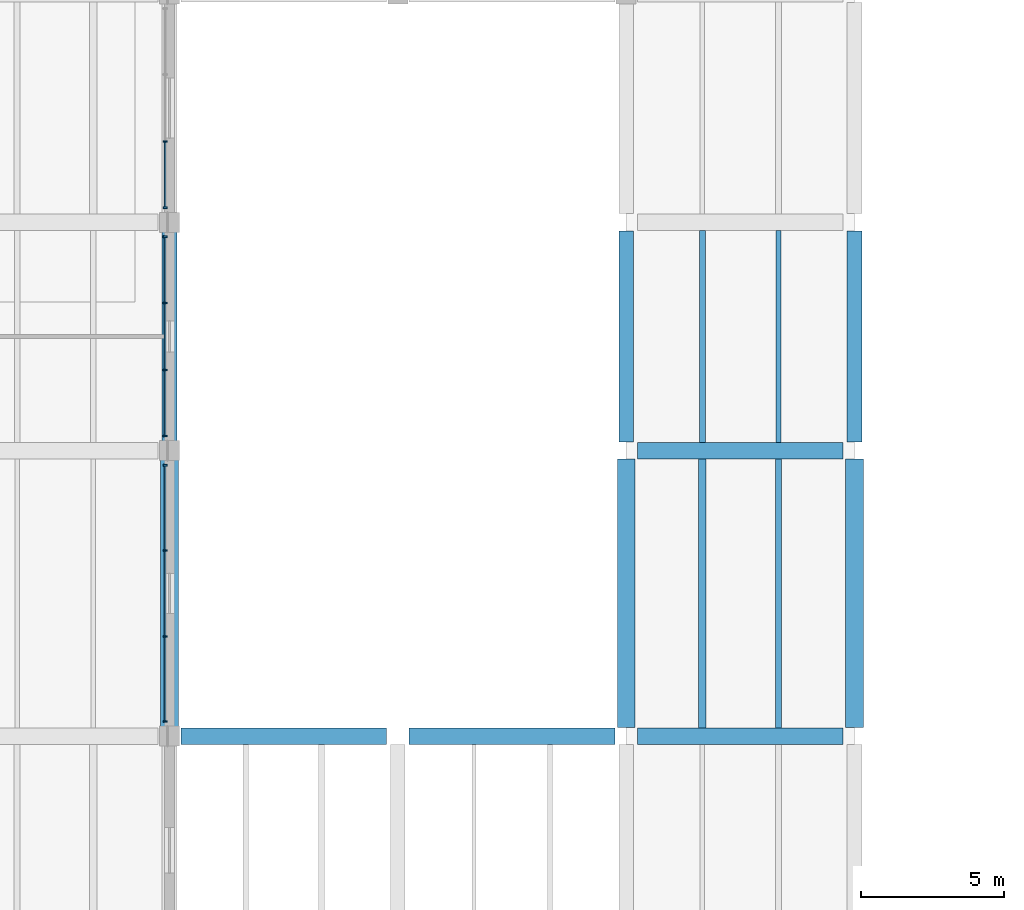
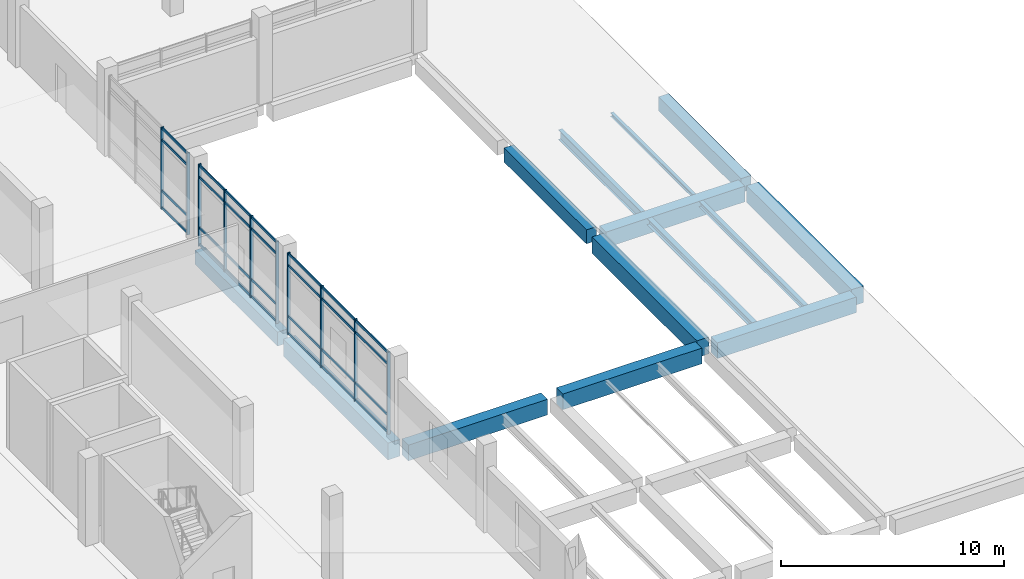
# One storey, part 20 of 52: 38 members, 14 beams, 3 elements without a shape of their own.
"""IFC4 building model written with IfcOpenShell, lengths in metres."""

from ifc_helpers import new_model, si_unit, direction, frame, origin, origin_2d, place, context, subcontext, project, spatial, rectangle, i_section, extrude, material, material_profile, profile_set, type_object, element, aggregate, save


model = new_model("IFC4")

# Units and contexts
model_context = context("Model", 3, precision=1e-05, world=origin(), true_north=direction((0.0, 1.0)))
body_context = subcontext(model_context, "Body", "Model", "MODEL_VIEW")
ifc_project = project(units=[si_unit("LENGTHUNIT", "METRE"), si_unit("AREAUNIT", "SQUARE_METRE"), si_unit("VOLUMEUNIT", "CUBIC_METRE"), si_unit("PLANEANGLEUNIT", "RADIAN"), si_unit("MASSUNIT", "GRAM", prefix="KILO")], contexts=[model_context])

# Site, building, storey
site_placement = place(None, origin())
site = spatial("IfcSite", under=ifc_project, at=site_placement, CompositionType="ELEMENT")
building_placement = place(site_placement, origin())
building = spatial("IfcBuilding", under=site, at=building_placement, Name="Pecanmere Concourse Central Library", CompositionType="ELEMENT")
storey_placement = place(building_placement, frame((0.0, 0.0, 10.5)))
storey = spatial("IfcBuildingStorey", under=building, at=storey_placement, Name="L03", CompositionType="ELEMENT", Elevation=10.5)

# Curtain wall, members
ifc_material_1 = material(Name="Clear anodized aluminium alloy 6063-T6", Category="aluminium")
curtain_wall_type = type_object("IfcCurtainWallType", Name="CW_CLOISTER_GLAZ", PredefinedType="USERDEFINED", material=ifc_material_1)
curtain_wall_1_placement = place(storey_placement, origin())
curtain_wall_1 = element("IfcCurtainWall", 1, at=curtain_wall_1_placement, inside=storey, type_object=curtain_wall_type, Name="Unitised Curtain Wall CW-04 L03-129", ObjectType="UNITISED CURTAIN WALL", PredefinedType="USERDEFINED")
ifc_material_2 = material(Name="Clear anodized aluminium alloy 6063-T6", Category="aluminium")
ifc_material_profile_1 = material_profile(ifc_material_2, rectangle(XDim=0.06005859375, YDim=0.14990234375, at=origin_2d()), Name="AL 60x150")
ifc_profile_set_1 = profile_set([ifc_material_profile_1], Name="Clear anodized aluminium alloy 6063-T6")
member_type_1 = type_object("IfcMemberType", Name="CWM_150x60", PredefinedType="MULLION", material=ifc_profile_set_1)
member_1_placement = place(storey_placement, frame((127.85009765625, 64.510009765625, 0.0), z_axis=(0.0, 0.0, 1.0), x_axis=(0.0, 1.0, 0.0)))
member_1 = element("IfcMember", 2, at=member_1_placement, type_object=member_type_1, Name="CW-04 Mullion 1", PredefinedType="MULLION", context=body_context, shape_type="SweptSolid", body=[
    extrude(rectangle(XDim=0.06005859375, YDim=0.14990234375, at=origin_2d()), origin(), (0.0, 0.0, 1.0), 4.47998046875),
])
member_2_placement = place(storey_placement, frame((127.85009765625, 67.493408203125, 0.0), z_axis=(0.0, 0.0, 1.0), x_axis=(0.0, 1.0, 0.0)))
member_2 = element("IfcMember", 3, at=member_2_placement, type_object=member_type_1, Name="CW-04 Mullion 2", PredefinedType="MULLION", context=body_context, shape_type="SweptSolid", body=[
    extrude(rectangle(XDim=0.06005859375, YDim=0.14990234375, at=origin_2d()), origin(), (0.0, 0.0, 1.0), 4.47998046875),
])
member_3_placement = place(storey_placement, frame((127.85009765625, 70.506591796875, 0.0), z_axis=(0.0, 0.0, 1.0), x_axis=(0.0, 1.0, 0.0)))
member_3 = element("IfcMember", 4, at=member_3_placement, type_object=member_type_1, Name="CW-04 Mullion 3", PredefinedType="MULLION", context=body_context, shape_type="SweptSolid", body=[
    extrude(rectangle(XDim=0.06005859375, YDim=0.14990234375, at=origin_2d()), origin(), (0.0, 0.0, 1.0), 4.47998046875),
])
member_4_placement = place(storey_placement, frame((127.85009765625, 73.489990234375, 0.0), z_axis=(0.0, 0.0, 1.0), x_axis=(0.0, 1.0, 0.0)))
member_4 = element("IfcMember", 5, at=member_4_placement, type_object=member_type_1, Name="CW-04 Mullion 4", PredefinedType="MULLION", context=body_context, shape_type="SweptSolid", body=[
    extrude(rectangle(XDim=0.06005859375, YDim=0.14990234375, at=origin_2d()), origin(), (0.0, 0.0, 1.0), 4.47998046875),
])

curtain_wall_2_placement = place(storey_placement, origin())
curtain_wall_2 = element("IfcCurtainWall", 6, at=curtain_wall_2_placement, inside=storey, type_object=curtain_wall_type, Name="Unitised Curtain Wall CW-04 L03-131", ObjectType="UNITISED CURTAIN WALL", PredefinedType="USERDEFINED")
member_5_placement = place(storey_placement, frame((127.85009765625, 74.510009765625, 0.0), z_axis=(0.0, 0.0, 1.0), x_axis=(0.0, 1.0, 0.0)))
member_5 = element("IfcMember", 7, at=member_5_placement, type_object=member_type_1, Name="CW-04 Mullion 1", PredefinedType="MULLION", context=body_context, shape_type="SweptSolid", body=[
    extrude(rectangle(XDim=0.06005859375, YDim=0.14990234375, at=origin_2d()), origin(), (0.0, 0.0, 1.0), 4.47998046875),
])
member_6_placement = place(storey_placement, frame((127.85009765625, 76.82666015625, 0.0), z_axis=(0.0, 0.0, 1.0), x_axis=(0.0, 1.0, 0.0)))
member_6 = element("IfcMember", 8, at=member_6_placement, type_object=member_type_1, Name="CW-04 Mullion 2", PredefinedType="MULLION", context=body_context, shape_type="SweptSolid", body=[
    extrude(rectangle(XDim=0.06005859375, YDim=0.14990234375, at=origin_2d()), origin(), (0.0, 0.0, 1.0), 4.47998046875),
])
member_7_placement = place(storey_placement, frame((127.85009765625, 79.17333984375, 0.0), z_axis=(0.0, 0.0, 1.0), x_axis=(0.0, 1.0, 0.0)))
member_7 = element("IfcMember", 9, at=member_7_placement, type_object=member_type_1, Name="CW-04 Mullion 3", PredefinedType="MULLION", context=body_context, shape_type="SweptSolid", body=[
    extrude(rectangle(XDim=0.06005859375, YDim=0.14990234375, at=origin_2d()), origin(), (0.0, 0.0, 1.0), 4.47998046875),
])
member_8_placement = place(storey_placement, frame((127.85009765625, 81.489990234375, 0.0), z_axis=(0.0, 0.0, 1.0), x_axis=(0.0, 1.0, 0.0)))
member_8 = element("IfcMember", 10, at=member_8_placement, type_object=member_type_1, Name="CW-04 Mullion 4", PredefinedType="MULLION", context=body_context, shape_type="SweptSolid", body=[
    extrude(rectangle(XDim=0.06005859375, YDim=0.14990234375, at=origin_2d()), origin(), (0.0, 0.0, 1.0), 4.47998046875),
])

curtain_wall_3_placement = place(storey_placement, origin())
curtain_wall_3 = element("IfcCurtainWall", 11, at=curtain_wall_3_placement, inside=storey, type_object=curtain_wall_type, Name="Unitised Curtain Wall CW-04 L03-133", ObjectType="UNITISED CURTAIN WALL", PredefinedType="USERDEFINED")
member_9_placement = place(storey_placement, frame((127.85009765625, 82.510009765625, 0.0), z_axis=(0.0, 0.0, 1.0), x_axis=(0.0, 1.0, 0.0)))
member_9 = element("IfcMember", 12, at=member_9_placement, type_object=member_type_1, Name="CW-04 Mullion 1", PredefinedType="MULLION", context=body_context, shape_type="SweptSolid", body=[
    extrude(rectangle(XDim=0.06005859375, YDim=0.14990234375, at=origin_2d()), origin(), (0.0, 0.0, 1.0), 4.47998046875),
])
member_10_placement = place(storey_placement, frame((127.85009765625, 84.82666015625, 0.0), z_axis=(0.0, 0.0, 1.0), x_axis=(0.0, 1.0, 0.0)))
member_10 = element("IfcMember", 13, at=member_10_placement, type_object=member_type_1, Name="CW-04 Mullion 2", PredefinedType="MULLION", context=body_context, shape_type="SweptSolid", body=[
    extrude(rectangle(XDim=0.06005859375, YDim=0.14990234375, at=origin_2d()), origin(), (0.0, 0.0, 1.0), 4.47998046875),
])

# Member
ifc_material_3 = material(Name="Clear anodized aluminium alloy 6063-T6", Category="aluminium")
ifc_material_profile_2 = material_profile(ifc_material_3, rectangle(XDim=0.054931640625, YDim=0.139892578125, at=origin_2d()), Name="AL 55x140")
ifc_profile_set_2 = profile_set([ifc_material_profile_2], Name="Clear anodized aluminium alloy 6063-T6")
member_type_2 = type_object("IfcMemberType", Name="CWT_140x55", PredefinedType="USERDEFINED", material=ifc_profile_set_2)
member_11_placement = place(storey_placement, frame((127.85009765625, 64.5400390625, 0.070068359375), z_axis=(0.0, 1.0, 0.0), x_axis=(-1.0, 0.0, 0.0)))
member_11 = element("IfcMember", 14, at=member_11_placement, type_object=member_type_2, Name="CW-04 Transom 1.1", ObjectType="TRANSOM", PredefinedType="USERDEFINED", context=body_context, shape_type="SweptSolid", body=[
    extrude(rectangle(XDim=0.054931640625, YDim=0.139892578125, at=origin_2d()), origin(), (0.0, 0.0, 1.0), 2.92333984375),
])

member_12_placement = place(storey_placement, frame((127.85009765625, 64.5400390625, 1.0), z_axis=(0.0, 1.0, 0.0), x_axis=(-1.0, 0.0, 0.0)))
member_12 = element("IfcMember", 15, at=member_12_placement, type_object=member_type_2, Name="CW-04 Transom 1.2", ObjectType="TRANSOM", PredefinedType="USERDEFINED", context=body_context, shape_type="SweptSolid", body=[
    extrude(rectangle(XDim=0.054931640625, YDim=0.139892578125, at=origin_2d()), origin(), (0.0, 0.0, 1.0), 2.92333984375),
])

member_13_placement = place(storey_placement, frame((127.85009765625, 64.5400390625, 3.780029296875), z_axis=(0.0, 1.0, 0.0), x_axis=(-1.0, 0.0, 0.0)))
member_13 = element("IfcMember", 16, at=member_13_placement, type_object=member_type_2, Name="CW-04 Transom 1.3", ObjectType="TRANSOM", PredefinedType="USERDEFINED", context=body_context, shape_type="SweptSolid", body=[
    extrude(rectangle(XDim=0.054931640625, YDim=0.139892578125, at=origin_2d()), origin(), (0.0, 0.0, 1.0), 2.92333984375),
])

member_14_placement = place(storey_placement, frame((127.85009765625, 64.5400390625, 4.409912109375), z_axis=(0.0, 1.0, 0.0), x_axis=(-1.0, 0.0, 0.0)))
member_14 = element("IfcMember", 17, at=member_14_placement, type_object=member_type_2, Name="CW-04 Transom 1.4", ObjectType="TRANSOM", PredefinedType="USERDEFINED", context=body_context, shape_type="SweptSolid", body=[
    extrude(rectangle(XDim=0.054931640625, YDim=0.139892578125, at=origin_2d()), origin(), (0.0, 0.0, 1.0), 2.92333984375),
])

member_15_placement = place(storey_placement, frame((127.85009765625, 67.5234375, 0.070068359375), z_axis=(0.0, 1.0, 0.0), x_axis=(-1.0, 0.0, 0.0)))
member_15 = element("IfcMember", 18, at=member_15_placement, type_object=member_type_2, Name="CW-04 Transom 2.1", ObjectType="TRANSOM", PredefinedType="USERDEFINED", context=body_context, shape_type="SweptSolid", body=[
    extrude(rectangle(XDim=0.054931640625, YDim=0.139892578125, at=origin_2d()), origin(), (0.0, 0.0, 1.0), 2.953125),
])

member_16_placement = place(storey_placement, frame((127.85009765625, 67.5234375, 1.0), z_axis=(0.0, 1.0, 0.0), x_axis=(-1.0, 0.0, 0.0)))
member_16 = element("IfcMember", 19, at=member_16_placement, type_object=member_type_2, Name="CW-04 Transom 2.2", ObjectType="TRANSOM", PredefinedType="USERDEFINED", context=body_context, shape_type="SweptSolid", body=[
    extrude(rectangle(XDim=0.054931640625, YDim=0.139892578125, at=origin_2d()), origin(), (0.0, 0.0, 1.0), 2.953125),
])

member_17_placement = place(storey_placement, frame((127.85009765625, 67.5234375, 3.780029296875), z_axis=(0.0, 1.0, 0.0), x_axis=(-1.0, 0.0, 0.0)))
member_17 = element("IfcMember", 20, at=member_17_placement, type_object=member_type_2, Name="CW-04 Transom 2.3", ObjectType="TRANSOM", PredefinedType="USERDEFINED", context=body_context, shape_type="SweptSolid", body=[
    extrude(rectangle(XDim=0.054931640625, YDim=0.139892578125, at=origin_2d()), origin(), (0.0, 0.0, 1.0), 2.953125),
])

member_18_placement = place(storey_placement, frame((127.85009765625, 67.5234375, 4.409912109375), z_axis=(0.0, 1.0, 0.0), x_axis=(-1.0, 0.0, 0.0)))
member_18 = element("IfcMember", 21, at=member_18_placement, type_object=member_type_2, Name="CW-04 Transom 2.4", ObjectType="TRANSOM", PredefinedType="USERDEFINED", context=body_context, shape_type="SweptSolid", body=[
    extrude(rectangle(XDim=0.054931640625, YDim=0.139892578125, at=origin_2d()), origin(), (0.0, 0.0, 1.0), 2.953125),
])

member_19_placement = place(storey_placement, frame((127.85009765625, 70.53662109375, 0.070068359375), z_axis=(0.0, 1.0, 0.0), x_axis=(-1.0, 0.0, 0.0)))
member_19 = element("IfcMember", 22, at=member_19_placement, type_object=member_type_2, Name="CW-04 Transom 3.1", ObjectType="TRANSOM", PredefinedType="USERDEFINED", context=body_context, shape_type="SweptSolid", body=[
    extrude(rectangle(XDim=0.054931640625, YDim=0.139892578125, at=origin_2d()), origin(), (0.0, 0.0, 1.0), 2.92333984375),
])

member_20_placement = place(storey_placement, frame((127.85009765625, 70.53662109375, 1.0), z_axis=(0.0, 1.0, 0.0), x_axis=(-1.0, 0.0, 0.0)))
member_20 = element("IfcMember", 23, at=member_20_placement, type_object=member_type_2, Name="CW-04 Transom 3.2", ObjectType="TRANSOM", PredefinedType="USERDEFINED", context=body_context, shape_type="SweptSolid", body=[
    extrude(rectangle(XDim=0.054931640625, YDim=0.139892578125, at=origin_2d()), origin(), (0.0, 0.0, 1.0), 2.92333984375),
])

member_21_placement = place(storey_placement, frame((127.85009765625, 70.53662109375, 3.780029296875), z_axis=(0.0, 1.0, 0.0), x_axis=(-1.0, 0.0, 0.0)))
member_21 = element("IfcMember", 24, at=member_21_placement, type_object=member_type_2, Name="CW-04 Transom 3.3", ObjectType="TRANSOM", PredefinedType="USERDEFINED", context=body_context, shape_type="SweptSolid", body=[
    extrude(rectangle(XDim=0.054931640625, YDim=0.139892578125, at=origin_2d()), origin(), (0.0, 0.0, 1.0), 2.92333984375),
])

member_22_placement = place(storey_placement, frame((127.85009765625, 70.53662109375, 4.409912109375), z_axis=(0.0, 1.0, 0.0), x_axis=(-1.0, 0.0, 0.0)))
member_22 = element("IfcMember", 25, at=member_22_placement, type_object=member_type_2, Name="CW-04 Transom 3.4", ObjectType="TRANSOM", PredefinedType="USERDEFINED", context=body_context, shape_type="SweptSolid", body=[
    extrude(rectangle(XDim=0.054931640625, YDim=0.139892578125, at=origin_2d()), origin(), (0.0, 0.0, 1.0), 2.92333984375),
])

aggregate(curtain_wall_1, [member_1, member_2, member_3, member_4, member_11, member_12, member_13, member_14, member_15, member_16, member_17, member_18, member_19, member_20, member_21, member_22])

member_23_placement = place(storey_placement, frame((127.85009765625, 74.5400390625, 0.070068359375), z_axis=(0.0, 1.0, 0.0), x_axis=(-1.0, 0.0, 0.0)))
member_23 = element("IfcMember", 26, at=member_23_placement, type_object=member_type_2, Name="CW-04 Transom 1.1", ObjectType="TRANSOM", PredefinedType="USERDEFINED", context=body_context, shape_type="SweptSolid", body=[
    extrude(rectangle(XDim=0.054931640625, YDim=0.139892578125, at=origin_2d()), origin(), (0.0, 0.0, 1.0), 2.256591796875),
])

member_24_placement = place(storey_placement, frame((127.85009765625, 74.5400390625, 1.0), z_axis=(0.0, 1.0, 0.0), x_axis=(-1.0, 0.0, 0.0)))
member_24 = element("IfcMember", 27, at=member_24_placement, type_object=member_type_2, Name="CW-04 Transom 1.2", ObjectType="TRANSOM", PredefinedType="USERDEFINED", context=body_context, shape_type="SweptSolid", body=[
    extrude(rectangle(XDim=0.054931640625, YDim=0.139892578125, at=origin_2d()), origin(), (0.0, 0.0, 1.0), 2.256591796875),
])

member_25_placement = place(storey_placement, frame((127.85009765625, 74.5400390625, 3.780029296875), z_axis=(0.0, 1.0, 0.0), x_axis=(-1.0, 0.0, 0.0)))
member_25 = element("IfcMember", 28, at=member_25_placement, type_object=member_type_2, Name="CW-04 Transom 1.3", ObjectType="TRANSOM", PredefinedType="USERDEFINED", context=body_context, shape_type="SweptSolid", body=[
    extrude(rectangle(XDim=0.054931640625, YDim=0.139892578125, at=origin_2d()), origin(), (0.0, 0.0, 1.0), 2.256591796875),
])

member_26_placement = place(storey_placement, frame((127.85009765625, 74.5400390625, 4.409912109375), z_axis=(0.0, 1.0, 0.0), x_axis=(-1.0, 0.0, 0.0)))
member_26 = element("IfcMember", 29, at=member_26_placement, type_object=member_type_2, Name="CW-04 Transom 1.4", ObjectType="TRANSOM", PredefinedType="USERDEFINED", context=body_context, shape_type="SweptSolid", body=[
    extrude(rectangle(XDim=0.054931640625, YDim=0.139892578125, at=origin_2d()), origin(), (0.0, 0.0, 1.0), 2.256591796875),
])

member_27_placement = place(storey_placement, frame((127.85009765625, 76.856689453125, 0.070068359375), z_axis=(0.0, 1.0, 0.0), x_axis=(-1.0, 0.0, 0.0)))
member_27 = element("IfcMember", 30, at=member_27_placement, type_object=member_type_2, Name="CW-04 Transom 2.1", ObjectType="TRANSOM", PredefinedType="USERDEFINED", context=body_context, shape_type="SweptSolid", body=[
    extrude(rectangle(XDim=0.054931640625, YDim=0.139892578125, at=origin_2d()), origin(), (0.0, 0.0, 1.0), 2.28662109375),
])

member_28_placement = place(storey_placement, frame((127.85009765625, 76.856689453125, 1.0), z_axis=(0.0, 1.0, 0.0), x_axis=(-1.0, 0.0, 0.0)))
member_28 = element("IfcMember", 31, at=member_28_placement, type_object=member_type_2, Name="CW-04 Transom 2.2", ObjectType="TRANSOM", PredefinedType="USERDEFINED", context=body_context, shape_type="SweptSolid", body=[
    extrude(rectangle(XDim=0.054931640625, YDim=0.139892578125, at=origin_2d()), origin(), (0.0, 0.0, 1.0), 2.28662109375),
])

member_29_placement = place(storey_placement, frame((127.85009765625, 76.856689453125, 3.780029296875), z_axis=(0.0, 1.0, 0.0), x_axis=(-1.0, 0.0, 0.0)))
member_29 = element("IfcMember", 32, at=member_29_placement, type_object=member_type_2, Name="CW-04 Transom 2.3", ObjectType="TRANSOM", PredefinedType="USERDEFINED", context=body_context, shape_type="SweptSolid", body=[
    extrude(rectangle(XDim=0.054931640625, YDim=0.139892578125, at=origin_2d()), origin(), (0.0, 0.0, 1.0), 2.28662109375),
])

member_30_placement = place(storey_placement, frame((127.85009765625, 76.856689453125, 4.409912109375), z_axis=(0.0, 1.0, 0.0), x_axis=(-1.0, 0.0, 0.0)))
member_30 = element("IfcMember", 33, at=member_30_placement, type_object=member_type_2, Name="CW-04 Transom 2.4", ObjectType="TRANSOM", PredefinedType="USERDEFINED", context=body_context, shape_type="SweptSolid", body=[
    extrude(rectangle(XDim=0.054931640625, YDim=0.139892578125, at=origin_2d()), origin(), (0.0, 0.0, 1.0), 2.28662109375),
])

member_31_placement = place(storey_placement, frame((127.85009765625, 79.203369140625, 0.070068359375), z_axis=(0.0, 1.0, 0.0), x_axis=(-1.0, 0.0, 0.0)))
member_31 = element("IfcMember", 34, at=member_31_placement, type_object=member_type_2, Name="CW-04 Transom 3.1", ObjectType="TRANSOM", PredefinedType="USERDEFINED", context=body_context, shape_type="SweptSolid", body=[
    extrude(rectangle(XDim=0.054931640625, YDim=0.139892578125, at=origin_2d()), origin(), (0.0, 0.0, 1.0), 2.256591796875),
])

member_32_placement = place(storey_placement, frame((127.85009765625, 79.203369140625, 1.0), z_axis=(0.0, 1.0, 0.0), x_axis=(-1.0, 0.0, 0.0)))
member_32 = element("IfcMember", 35, at=member_32_placement, type_object=member_type_2, Name="CW-04 Transom 3.2", ObjectType="TRANSOM", PredefinedType="USERDEFINED", context=body_context, shape_type="SweptSolid", body=[
    extrude(rectangle(XDim=0.054931640625, YDim=0.139892578125, at=origin_2d()), origin(), (0.0, 0.0, 1.0), 2.256591796875),
])

member_33_placement = place(storey_placement, frame((127.85009765625, 79.203369140625, 3.780029296875), z_axis=(0.0, 1.0, 0.0), x_axis=(-1.0, 0.0, 0.0)))
member_33 = element("IfcMember", 36, at=member_33_placement, type_object=member_type_2, Name="CW-04 Transom 3.3", ObjectType="TRANSOM", PredefinedType="USERDEFINED", context=body_context, shape_type="SweptSolid", body=[
    extrude(rectangle(XDim=0.054931640625, YDim=0.139892578125, at=origin_2d()), origin(), (0.0, 0.0, 1.0), 2.256591796875),
])

member_34_placement = place(storey_placement, frame((127.85009765625, 79.203369140625, 4.409912109375), z_axis=(0.0, 1.0, 0.0), x_axis=(-1.0, 0.0, 0.0)))
member_34 = element("IfcMember", 37, at=member_34_placement, type_object=member_type_2, Name="CW-04 Transom 3.4", ObjectType="TRANSOM", PredefinedType="USERDEFINED", context=body_context, shape_type="SweptSolid", body=[
    extrude(rectangle(XDim=0.054931640625, YDim=0.139892578125, at=origin_2d()), origin(), (0.0, 0.0, 1.0), 2.256591796875),
])

aggregate(curtain_wall_2, [member_5, member_6, member_7, member_8, member_23, member_24, member_25, member_26, member_27, member_28, member_29, member_30, member_31, member_32, member_33, member_34])

member_35_placement = place(storey_placement, frame((127.85009765625, 82.5400390625, 0.070068359375), z_axis=(0.0, 1.0, 0.0), x_axis=(-1.0, 0.0, 0.0)))
member_35 = element("IfcMember", 38, at=member_35_placement, type_object=member_type_2, Name="CW-04 Transom 1.1", ObjectType="TRANSOM", PredefinedType="USERDEFINED", context=body_context, shape_type="SweptSolid", body=[
    extrude(rectangle(XDim=0.054931640625, YDim=0.139892578125, at=origin_2d()), origin(), (0.0, 0.0, 1.0), 2.256591796875),
])

member_36_placement = place(storey_placement, frame((127.85009765625, 82.5400390625, 1.0), z_axis=(0.0, 1.0, 0.0), x_axis=(-1.0, 0.0, 0.0)))
member_36 = element("IfcMember", 39, at=member_36_placement, type_object=member_type_2, Name="CW-04 Transom 1.2", ObjectType="TRANSOM", PredefinedType="USERDEFINED", context=body_context, shape_type="SweptSolid", body=[
    extrude(rectangle(XDim=0.054931640625, YDim=0.139892578125, at=origin_2d()), origin(), (0.0, 0.0, 1.0), 2.256591796875),
])

member_37_placement = place(storey_placement, frame((127.85009765625, 82.5400390625, 3.780029296875), z_axis=(0.0, 1.0, 0.0), x_axis=(-1.0, 0.0, 0.0)))
member_37 = element("IfcMember", 40, at=member_37_placement, type_object=member_type_2, Name="CW-04 Transom 1.3", ObjectType="TRANSOM", PredefinedType="USERDEFINED", context=body_context, shape_type="SweptSolid", body=[
    extrude(rectangle(XDim=0.054931640625, YDim=0.139892578125, at=origin_2d()), origin(), (0.0, 0.0, 1.0), 2.256591796875),
])

member_38_placement = place(storey_placement, frame((127.85009765625, 82.5400390625, 4.409912109375), z_axis=(0.0, 1.0, 0.0), x_axis=(-1.0, 0.0, 0.0)))
member_38 = element("IfcMember", 41, at=member_38_placement, type_object=member_type_2, Name="CW-04 Transom 1.4", ObjectType="TRANSOM", PredefinedType="USERDEFINED", context=body_context, shape_type="SweptSolid", body=[
    extrude(rectangle(XDim=0.054931640625, YDim=0.139892578125, at=origin_2d()), origin(), (0.0, 0.0, 1.0), 2.256591796875),
])

aggregate(curtain_wall_3, [member_9, member_10, member_35, member_36, member_37, member_38])

# Beams
ifc_material_4 = material(Name="Concrete C40/50", Category="concrete")
ifc_material_profile_3 = material_profile(ifc_material_4, rectangle(XDim=0.52001953125, YDim=0.77001953125, at=origin_2d()), Name="RC 520x770")
ifc_profile_set_3 = profile_set([ifc_material_profile_3], Name="Concrete C40/50")
beam_type_1 = type_object("IfcBeamType", Name="GRD_520x770", PredefinedType="USERDEFINED", material=ifc_profile_set_3)
for number, where, z_axis, x_axis, name in (
    (42, (128.0, 74.300048828125, -0.72509765625), (0.0, 1.0, 0.0), (-1.0, 0.0, 0.0), "Primary Girder Y L03-1789"),
    (43, (144.0, 74.300048828125, -0.72509765625), (0.0, 1.0, 0.0), (-1.0, 0.0, 0.0), "Primary Girder Y L03-1808"),
    (44, (152.0, 74.300048828125, -0.72509765625), (0.0, 1.0, 0.0), (-1.0, 0.0, 0.0), "Primary Girder Y L03-1819"),
):
    element("IfcBeam", number, at=place(storey_placement, frame(where, z_axis=z_axis, x_axis=x_axis)), inside=storey, type_object=beam_type_1, Name=name, ObjectType="GIRDER", PredefinedType="USERDEFINED", context=body_context, shape_type="SweptSolid", body=[
        extrude(rectangle(XDim=0.52001953125, YDim=0.77001953125, at=origin_2d()), origin(), (0.0, 0.0, 1.0), 7.39990234375),
    ])
ifc_material_5 = material(Name="Concrete C40/50", Category="concrete")
ifc_material_profile_4 = material_profile(ifc_material_5, rectangle(XDim=0.580078125, YDim=0.860107421875, at=origin_2d()), Name="RC 580x860")
ifc_profile_set_4 = profile_set([ifc_material_profile_4], Name="Concrete C40/50")
beam_type_2 = type_object("IfcBeamType", Name="GRD_580x860", PredefinedType="USERDEFINED", material=ifc_profile_set_4)
for number, where, z_axis, x_axis, name in (
    (45, (128.39990234375, 64.0, -0.77001953125), (1.0, 0.0, 0.0), (0.0, 1.0, 0.0), "Primary Girder X L03-1585"),
    (46, (136.39990234375, 64.0, -0.77001953125), (1.0, 0.0, 0.0), (0.0, 1.0, 0.0), "Primary Girder X L03-1586"),
    (47, (144.39990234375, 64.0, -0.77001953125), (1.0, 0.0, 0.0), (0.0, 1.0, 0.0), "Primary Girder X L03-1587"),
    (48, (144.39990234375, 74.0, -0.77001953125), (1.0, 0.0, 0.0), (0.0, 1.0, 0.0), "Primary Girder X L03-1599"),
):
    element("IfcBeam", number, at=place(storey_placement, frame(where, z_axis=z_axis, x_axis=x_axis)), inside=storey, type_object=beam_type_2, Name=name, ObjectType="GIRDER", PredefinedType="USERDEFINED", context=body_context, shape_type="SweptSolid", body=[
        extrude(rectangle(XDim=0.580078125, YDim=0.860107421875, at=origin_2d()), origin(), (0.0, 0.0, 1.0), 7.2001953125),
    ])
ifc_material_6 = material(Name="Concrete C40/50", Category="concrete")
ifc_material_profile_5 = material_profile(ifc_material_6, rectangle(XDim=0.6201171875, YDim=0.919921875, at=origin_2d()), Name="RC 620x920")
ifc_profile_set_5 = profile_set([ifc_material_profile_5], Name="Concrete C40/50")
beam_type_3 = type_object("IfcBeamType", Name="GRD_620x920", PredefinedType="USERDEFINED", material=ifc_profile_set_5)
for number, where, z_axis, x_axis, name in (
    (49, (128.0, 64.300048828125, -0.800048828125), (0.0, 1.0, 0.0), (-1.0, 0.0, 0.0), "Primary Girder Y L03-1788"),
    (50, (144.0, 64.300048828125, -0.800048828125), (0.0, 1.0, 0.0), (-1.0, 0.0, 0.0), "Primary Girder Y L03-1807"),
    (51, (152.0, 64.300048828125, -0.800048828125), (0.0, 1.0, 0.0), (-1.0, 0.0, 0.0), "Primary Girder Y L03-1818"),
):
    element("IfcBeam", number, at=place(storey_placement, frame(where, z_axis=z_axis, x_axis=x_axis)), inside=storey, type_object=beam_type_3, Name=name, ObjectType="GIRDER", PredefinedType="USERDEFINED", context=body_context, shape_type="SweptSolid", body=[
        extrude(rectangle(XDim=0.6201171875, YDim=0.919921875, at=origin_2d()), origin(), (0.0, 0.0, 1.0), 9.39990234375),
    ])
ifc_material_7 = material(Name="Structural steel ASTM A992 Grade 50", Category="steel")
ifc_material_profile_6 = material_profile(ifc_material_7, i_section(OverallWidth=0.1650390625, OverallDepth=0.200927734375, WebThickness=0.006103515625, FlangeThickness=0.01025390625, at=origin_2d()), Name="W200x35.9")
ifc_profile_set_6 = profile_set([ifc_material_profile_6], Name="Structural steel ASTM A992 Grade 50")
beam_type_4 = type_object("IfcBeamType", Name="SBM_W200x36", PredefinedType="LINTEL", material=ifc_profile_set_6)
beam_1_placement = place(storey_placement, frame((149.333251953125, 74.2900390625, -0.4404296875), z_axis=(0.0, 1.0, 0.0), x_axis=(-1.0, 0.0, 0.0)))
element("IfcBeam", 52, at=beam_1_placement, inside=storey, type_object=beam_type_4, Name="Secondary Floor Joist L03-2076", PredefinedType="LINTEL", context=body_context, shape_type="SweptSolid", body=[
    extrude(i_section(OverallWidth=0.1650390625, OverallDepth=0.200927734375, WebThickness=0.006103515625, FlangeThickness=0.01025390625, at=origin_2d()), origin(), (0.0, 0.0, 1.0), 7.419921875),
])
ifc_material_8 = material(Name="Structural steel ASTM A992 Grade 50", Category="steel")
ifc_material_profile_7 = material_profile(ifc_material_8, i_section(OverallWidth=0.205078125, OverallDepth=0.31005859375, WebThickness=0.009521484375, FlangeThickness=0.016357421875, at=origin_2d()), Name="W310x74")
ifc_profile_set_7 = profile_set([ifc_material_profile_7], Name="Structural steel ASTM A992 Grade 50")
beam_type_5 = type_object("IfcBeamType", Name="SBM_W310x74", PredefinedType="BEAM", material=ifc_profile_set_7)
beam_2_placement = place(storey_placement, frame((149.333251953125, 64.2900390625, -0.4951171875), z_axis=(0.0, 1.0, 0.0), x_axis=(-1.0, 0.0, 0.0)))
element("IfcBeam", 53, at=beam_2_placement, inside=storey, type_object=beam_type_5, Name="Secondary Floor Joist L03-2074", PredefinedType="BEAM", context=body_context, shape_type="SweptSolid", body=[
    extrude(i_section(OverallWidth=0.205078125, OverallDepth=0.31005859375, WebThickness=0.009521484375, FlangeThickness=0.016357421875, at=origin_2d()), origin(), (0.0, 0.0, 1.0), 9.419921875),
])
ifc_material_9 = material(Name="Structural steel ASTM A992 Grade 50", Category="steel")
ifc_material_profile_8 = material_profile(ifc_material_9, i_section(OverallWidth=0.25390625, OverallDepth=0.35302734375, WebThickness=0.009521484375, FlangeThickness=0.016357421875, at=origin_2d()), Name="W360x91")
ifc_profile_set_8 = profile_set([ifc_material_profile_8], Name="Structural steel ASTM A992 Grade 50")
beam_type_6 = type_object("IfcBeamType", Name="SBM_W360x91", PredefinedType="BEAM", material=ifc_profile_set_8)
beam_3_placement = place(storey_placement, frame((146.666748046875, 64.2900390625, -0.5166015625), z_axis=(0.0, 1.0, 0.0), x_axis=(-1.0, 0.0, 0.0)))
element("IfcBeam", 54, at=beam_3_placement, inside=storey, type_object=beam_type_6, Name="Secondary Floor Joist L03-2073", PredefinedType="BEAM", context=body_context, shape_type="SweptSolid", body=[
    extrude(i_section(OverallWidth=0.25390625, OverallDepth=0.35302734375, WebThickness=0.009521484375, FlangeThickness=0.016357421875, at=origin_2d()), origin(), (0.0, 0.0, 1.0), 9.419921875),
])
ifc_material_10 = material(Name="Structural steel ASTM A992 Grade 50", Category="steel")
ifc_material_profile_9 = material_profile(ifc_material_10, i_section(OverallWidth=0.2109375, OverallDepth=0.5390625, WebThickness=0.01171875, FlangeThickness=0.018798828125, at=origin_2d()), Name="W530x109")
ifc_profile_set_9 = profile_set([ifc_material_profile_9], Name="Structural steel ASTM A992 Grade 50")
beam_type_7 = type_object("IfcBeamType", Name="SBM_W530x109", PredefinedType="USERDEFINED", material=ifc_profile_set_9)
beam_4_placement = place(storey_placement, frame((146.666748046875, 74.2900390625, -0.609619140625), z_axis=(0.0, 1.0, 0.0), x_axis=(-1.0, 0.0, 0.0)))
element("IfcBeam", 55, at=beam_4_placement, inside=storey, type_object=beam_type_7, Name="Secondary Floor Joist L03-2075", ObjectType="GIRDER", PredefinedType="USERDEFINED", context=body_context, shape_type="SweptSolid", body=[
    extrude(i_section(OverallWidth=0.2109375, OverallDepth=0.5390625, WebThickness=0.01171875, FlangeThickness=0.018798828125, at=origin_2d()), origin(), (0.0, 0.0, 1.0), 7.419921875),
])

save(model, "model.ifc")
